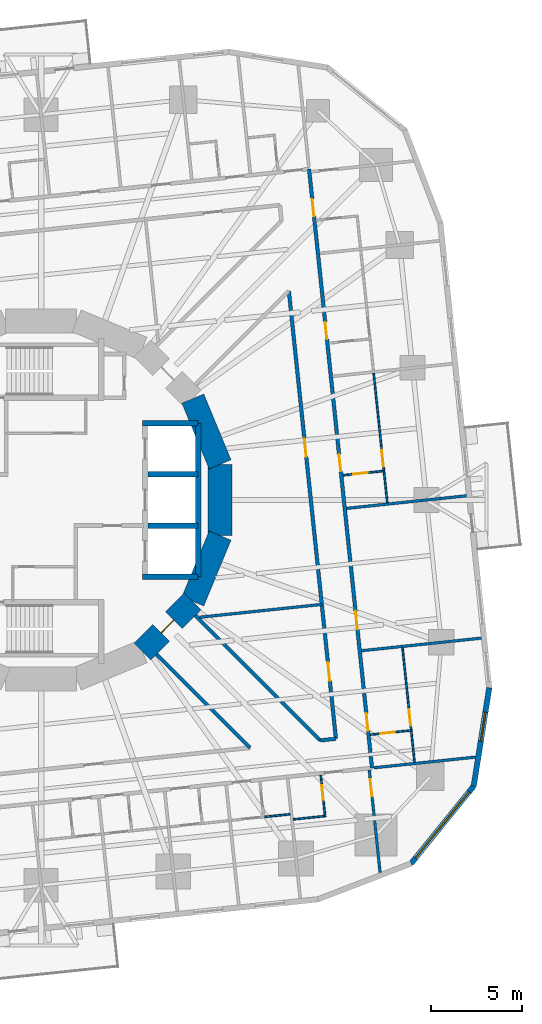
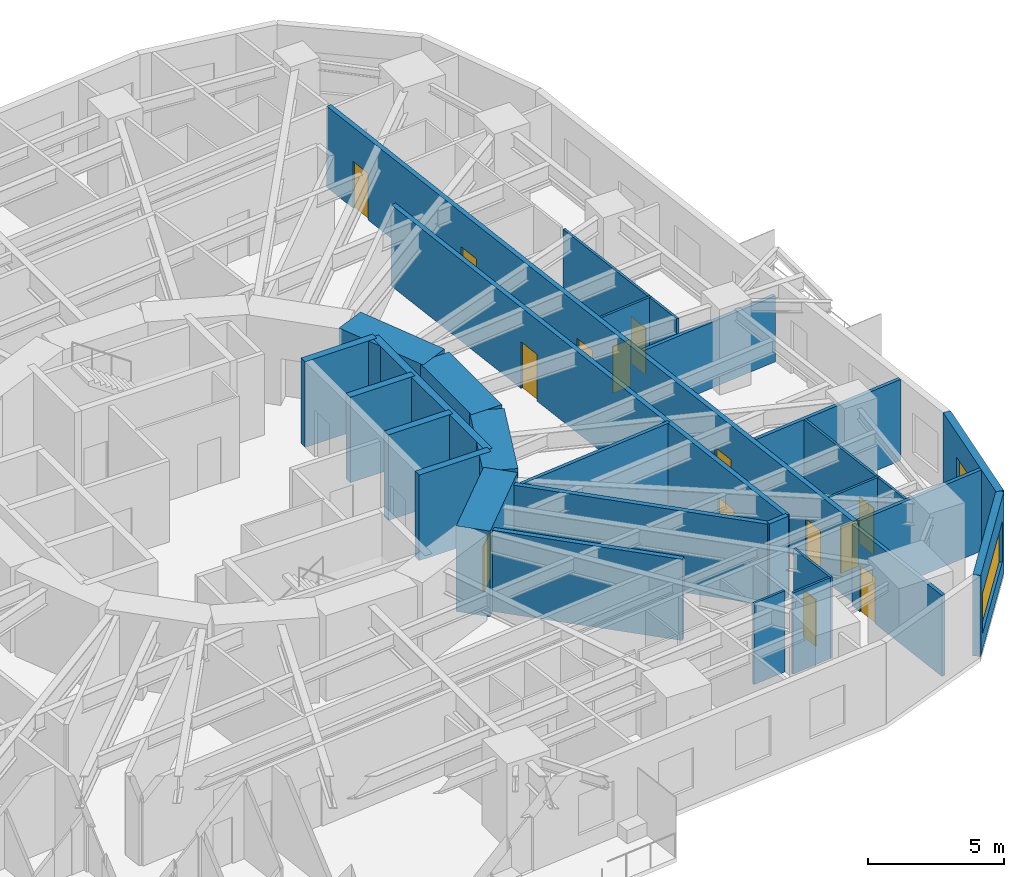
# One storey, part 8 of 13: 30 walls, 14 doors, 2 windows, 16 openings.
"""IFC4 building model written with IfcOpenShell, lengths in metres."""

from ifc_helpers import new_model, si_unit, direction, frame, frame_2d, origin, place, context, subcontext, project, spatial, rectangle, extrude, material, layer, layer_set, type_object, element, fill, save


model = new_model("IFC4")

# Units and contexts
model_context = context("Model", 3, precision=1e-05, world=origin(), true_north=direction((0.0, 1.0)))
body_context = subcontext(model_context, "Body", "Model", "MODEL_VIEW")
ifc_project = project(units=[si_unit("LENGTHUNIT", "METRE"), si_unit("AREAUNIT", "SQUARE_METRE"), si_unit("VOLUMEUNIT", "CUBIC_METRE"), si_unit("PLANEANGLEUNIT", "RADIAN"), si_unit("MASSUNIT", "GRAM", prefix="KILO")], contexts=[model_context])

# Site, building, storey
site_placement = place(None, origin())
site = spatial("IfcSite", under=ifc_project, at=site_placement, CompositionType="ELEMENT")
building_placement = place(site_placement, origin())
building = spatial("IfcBuilding", under=site, at=building_placement, Name="Nakasero Lantern House", CompositionType="ELEMENT")
storey_placement = place(building_placement, frame((0.0, 0.0, 79.75)))
storey = spatial("IfcBuildingStorey", under=building, at=storey_placement, Name="L19", CompositionType="ELEMENT", Elevation=79.75)

# Walls
ifc_material_1 = material(Name="Concrete C50/60", Category="concrete")
ifc_layer_1 = layer(ifc_material_1, 0.300048828125)
ifc_layer_set_1 = layer_set([ifc_layer_1], Name="Core inner wall 300")
wall_type_1 = type_object("IfcWallType", Name="Core inner wall 300", PredefinedType="SHEAR", material=ifc_layer_set_1)
for number, where, z_axis, x_axis, name in (
    (1, (5.550048828125, 4.199951171875, 0.0), (0.0, 0.0, 1.0), (1.0, 0.0, 0.0), "Core inner wall L19 LEN"),
    (2, (5.550048828125, -4.199951171875, 0.0), (0.0, 0.0, 1.0), (1.0, 0.0, 0.0), "Core inner wall L19 LES"),
):
    element("IfcWall", number, at=place(storey_placement, frame(where, z_axis=z_axis, x_axis=x_axis)), inside=storey, type_object=wall_type_1, Name=name, PredefinedType="SHEAR", context=body_context, shape_type="SweptSolid", body=[
        extrude(rectangle(XDim=3.050048828125, YDim=0.300048828125, at=frame_2d((1.52490234375, 0.0))), origin(), (0.0, 0.0, 1.0), 3.85009765625),
    ])
wall_1_placement = place(storey_placement, frame((8.60009765625, -4.199951171875, 0.0), z_axis=(0.0, 0.0, 1.0), x_axis=(0.0, 1.0, 0.0)))
element("IfcWall", 3, at=wall_1_placement, inside=storey, type_object=wall_type_1, Name="Core inner wall L19 LEB", PredefinedType="SHEAR", context=body_context, shape_type="SweptSolid", body=[
    extrude(rectangle(XDim=8.39990234375, YDim=0.300048828125, at=frame_2d((4.199951171875, 0.0))), origin(), (0.0, 0.0, 1.0), 3.85009765625),
])
for number, where, z_axis, x_axis, name in (
    (4, (5.85009765625, -1.39990234375, 0.0), (0.0, 0.0, 1.0), (1.0, 0.0, 0.0), "Core inner wall L19 LE1"),
    (5, (5.85009765625, 1.39990234375, 0.0), (0.0, 0.0, 1.0), (1.0, 0.0, 0.0), "Core inner wall L19 LE2"),
):
    element("IfcWall", number, at=place(storey_placement, frame(where, z_axis=z_axis, x_axis=x_axis)), inside=storey, type_object=wall_type_1, Name=name, PredefinedType="SHEAR", context=body_context, shape_type="SweptSolid", body=[
        extrude(rectangle(XDim=2.75, YDim=0.300048828125, at=frame_2d((1.375, 0.0))), origin(), (0.0, 0.0, 1.0), 3.85009765625),
    ])
ifc_material_2 = material(Name="Concrete C50/60", Category="concrete")
ifc_layer_2 = layer(ifc_material_2, 1.300048828125)
ifc_layer_set_2 = layer_set([ifc_layer_2], Name="Core wall 1300")
wall_type_2 = type_object("IfcWallType", Name="Core wall 1300", PredefinedType="SHEAR", material=ifc_layer_set_2)
wall_2_placement = place(storey_placement, frame((9.807861328125, 1.950927734375, 0.0), z_axis=(0.0, 0.0, 1.0), x_axis=(-0.382690736062, 0.923876507187, 0.0)))
element("IfcWall", 6, at=wall_2_placement, inside=storey, type_object=wall_type_2, Name="Core wall L19 facet 1", PredefinedType="SHEAR", context=body_context, shape_type="SweptSolid", body=[
    extrude(rectangle(XDim=3.90185546875, YDim=1.300048828125, at=frame_2d((1.950927734375, 0.0))), origin(), (0.0, 0.0, 1.0), 3.85009765625),
])

# Wall, opening, door
wall_3_placement = place(storey_placement, frame((5.5556640625, -8.314697265625, 0.0), z_axis=(0.0, 0.0, 1.0), x_axis=(0.707106781187, 0.707106781187, 0.0)))
wall_3 = element("IfcWall", 7, at=wall_3_placement, inside=storey, type_object=wall_type_2, Name="Core wall L19 facet 14", PredefinedType="SHEAR", context=body_context, shape_type="SweptSolid", body=[
    extrude(rectangle(XDim=3.90185546875, YDim=1.300048828125, at=frame_2d((1.950927734375, 0.0))), origin(), (0.0, 0.0, 1.0), 3.85009765625),
])
opening_1_placement = place(wall_3_placement, frame((1.450927734375, 0.0, 0.0)))
opening_1 = element("IfcOpeningElement", 8, at=opening_1_placement, cuts=wall_3, Name="Opening D05", PredefinedType="OPENING", context=body_context, shape_type="SweptSolid", body=[
    extrude(rectangle(XDim=1.0, YDim=2.10009765625, at=frame_2d((0.5, 1.050048828125))), frame((0.0, 0.669921875, 0.0), z_axis=(0.0, -1.0, 0.0), x_axis=(1.0, 0.0, 0.0)), (0.0, 0.0, 1.0), 1.340087890625),
])
ifc_material_3 = material(Name="Timber C24", Category="wood")
door_type_1 = type_object("IfcDoorType", Name="Core door FD60S 1000", OperationType="SINGLE_SWING_LEFT", PredefinedType="DOOR", material=ifc_material_3)
door_1_placement = place(opening_1_placement, origin())
door_1 = element("IfcDoor", 9, at=door_1_placement, inside=storey, type_object=door_type_1, Name="Door L19 D-CORE14", OperationType="SINGLE_SWING_LEFT", OverallHeight=2.10009765625, OverallWidth=1.0, PredefinedType="DOOR", context=body_context, shape_type="SweptSolid", body=[
    extrude(rectangle(XDim=1.0, YDim=2.10009765625, at=frame_2d((0.5, 1.050048828125))), frame((0.0, 0.02490234375, 0.0), z_axis=(0.0, -1.0, 0.0), x_axis=(1.0, 0.0, 0.0)), (0.0, 0.0, 1.0), 0.050048828125),
])
fill(opening_1, door_1)

# Walls
for number, where, z_axis, x_axis, name in (
    (10, (8.314697265625, -5.5556640625, 0.0), (0.0, 0.0, 1.0), (0.382690736062, 0.923876507187, 0.0), "Core wall L19 facet 15"),
    (11, (9.807861328125, -1.950927734375, 0.0), (0.0, 0.0, 1.0), (0.0, 1.0, 0.0), "Core wall L19 facet 16"),
):
    element("IfcWall", number, at=place(storey_placement, frame(where, z_axis=z_axis, x_axis=x_axis)), inside=storey, type_object=wall_type_2, Name=name, PredefinedType="SHEAR", context=body_context, shape_type="SweptSolid", body=[
        extrude(rectangle(XDim=3.90185546875, YDim=1.300048828125, at=frame_2d((1.950927734375, 0.0))), origin(), (0.0, 0.0, 1.0), 3.85009765625),
    ])

# Wall, openings, doors
ifc_material_4 = material(Name="Blockwork", Category="masonry")
ifc_layer_3 = layer(ifc_material_4, 0.199951171875)
ifc_layer_set_3 = layer_set([ifc_layer_3], Name="Corridor wall 200")
wall_type_3 = type_object("IfcWallType", Name="Corridor wall 200", PredefinedType="PARTITIONING", material=ifc_layer_set_3)
wall_4_placement = place(storey_placement, frame((18.13427734375, -14.684814453125, 0.0), z_axis=(0.0, 0.0, 1.0), x_axis=(-0.10452958258, 0.994521777723, 0.0)))
wall_4 = element("IfcWall", 12, at=wall_4_placement, inside=storey, type_object=wall_type_3, Name="Corridor wall L19 CW0", PredefinedType="PARTITIONING", context=body_context, shape_type="SweptSolid", body=[
    extrude(rectangle(XDim=32.999755859375, YDim=0.199951171875, at=frame_2d((16.5, 0.0))), origin(), (0.0, 0.0, 1.0), 3.64990234375),
])
opening_2_placement = place(wall_4_placement, frame((2.050048828125, 0.0, 0.0)))
opening_2 = element("IfcOpeningElement", 13, at=opening_2_placement, cuts=wall_4, Name="Opening D01", PredefinedType="OPENING", context=body_context, shape_type="SweptSolid", body=[
    extrude(rectangle(XDim=0.949951171875, YDim=2.10009765625, at=frame_2d((0.47509765625, 1.050048828125))), frame((0.0, 0.119873046875, 0.0), z_axis=(0.0, -1.0, 0.0), x_axis=(1.0, 0.0, 0.0)), (0.0, 0.0, 1.0), 0.239990234375),
])
opening_3_placement = place(wall_4_placement, frame((16.3427734375, 0.0, 0.0)))
opening_3 = element("IfcOpeningElement", 14, at=opening_3_placement, cuts=wall_4, Name="Opening D01", PredefinedType="OPENING", context=body_context, shape_type="SweptSolid", body=[
    extrude(rectangle(XDim=0.949951171875, YDim=2.10009765625, at=frame_2d((0.47509765625, 1.050048828125))), frame((0.0, 0.119873046875, 0.0), z_axis=(0.0, -1.0, 0.0), x_axis=(1.0, 0.0, 0.0)), (0.0, 0.0, 1.0), 0.239990234375),
])
opening_4_placement = place(wall_4_placement, frame((23.6201171875, 0.0, 0.0)))
opening_4 = element("IfcOpeningElement", 15, at=opening_4_placement, cuts=wall_4, Name="Opening D01", PredefinedType="OPENING", context=body_context, shape_type="SweptSolid", body=[
    extrude(rectangle(XDim=0.949951171875, YDim=2.10009765625, at=frame_2d((0.47509765625, 1.050048828125))), frame((0.0, 0.119873046875, 0.0), z_axis=(0.0, -1.0, 0.0), x_axis=(1.0, 0.0, 0.0)), (0.0, 0.0, 1.0), 0.239990234375),
])
opening_5_placement = place(wall_4_placement, frame((30.39111328125, 0.0, 0.0)))
opening_5 = element("IfcOpeningElement", 16, at=opening_5_placement, cuts=wall_4, Name="Opening D01", PredefinedType="OPENING", context=body_context, shape_type="SweptSolid", body=[
    extrude(rectangle(XDim=0.949951171875, YDim=2.10009765625, at=frame_2d((0.47509765625, 1.050048828125))), frame((0.0, 0.119873046875, 0.0), z_axis=(0.0, -1.0, 0.0), x_axis=(1.0, 0.0, 0.0)), (0.0, 0.0, 1.0), 0.239990234375),
])
opening_6_placement = place(wall_4_placement, frame((7.650634765625, 0.0, 0.0)))
opening_6 = element("IfcOpeningElement", 17, at=opening_6_placement, cuts=wall_4, Name="Opening D03", PredefinedType="OPENING", context=body_context, shape_type="SweptSolid", body=[
    extrude(rectangle(XDim=1.0, YDim=2.10009765625, at=frame_2d((0.5, 1.050048828125))), frame((0.0, 0.119873046875, 0.0), z_axis=(0.0, -1.0, 0.0), x_axis=(1.0, 0.0, 0.0)), (0.0, 0.0, 1.0), 0.239990234375),
])
ifc_material_5 = material(Name="Timber C24", Category="wood")
door_type_2 = type_object("IfcDoorType", Name="Bedroom door FD30S 950", OperationType="SINGLE_SWING_LEFT", PredefinedType="DOOR", material=ifc_material_5)
door_2_placement = place(opening_2_placement, origin())
door_2 = element("IfcDoor", 18, at=door_2_placement, inside=storey, type_object=door_type_2, Name="Door L19 D0-00", OperationType="SINGLE_SWING_LEFT", OverallHeight=2.10009765625, OverallWidth=0.949951171875, PredefinedType="DOOR", context=body_context, shape_type="SweptSolid", body=[
    extrude(rectangle(XDim=0.949951171875, YDim=2.10009765625, at=frame_2d((0.47509765625, 1.050048828125))), frame((0.0, 0.02490234375, 0.0), z_axis=(0.0, -1.0, 0.0), x_axis=(1.0, 0.0, 0.0)), (0.0, 0.0, 1.0), 0.050048828125),
])
fill(opening_2, door_2)
door_3_placement = place(opening_3_placement, origin())
door_3 = element("IfcDoor", 19, at=door_3_placement, inside=storey, type_object=door_type_2, Name="Door L19 D0-04", OperationType="SINGLE_SWING_RIGHT", OverallHeight=2.10009765625, OverallWidth=0.949951171875, PredefinedType="DOOR", context=body_context, shape_type="SweptSolid", body=[
    extrude(rectangle(XDim=0.949951171875, YDim=2.10009765625, at=frame_2d((0.47509765625, 1.050048828125))), frame((0.0, 0.02490234375, 0.0), z_axis=(0.0, -1.0, 0.0), x_axis=(1.0, 0.0, 0.0)), (0.0, 0.0, 1.0), 0.050048828125),
])
fill(opening_3, door_3)
door_4_placement = place(opening_4_placement, origin())
door_4 = element("IfcDoor", 20, at=door_4_placement, inside=storey, type_object=door_type_2, Name="Door L19 D0-06", OperationType="SINGLE_SWING_RIGHT", OverallHeight=2.10009765625, OverallWidth=0.949951171875, PredefinedType="DOOR", context=body_context, shape_type="SweptSolid", body=[
    extrude(rectangle(XDim=0.949951171875, YDim=2.10009765625, at=frame_2d((0.47509765625, 1.050048828125))), frame((0.0, 0.02490234375, 0.0), z_axis=(0.0, -1.0, 0.0), x_axis=(1.0, 0.0, 0.0)), (0.0, 0.0, 1.0), 0.050048828125),
])
fill(opening_4, door_4)
door_5_placement = place(opening_5_placement, origin())
door_5 = element("IfcDoor", 21, at=door_5_placement, inside=storey, type_object=door_type_2, Name="Door L19 D0-08", OperationType="SINGLE_SWING_RIGHT", OverallHeight=2.10009765625, OverallWidth=0.949951171875, PredefinedType="DOOR", context=body_context, shape_type="SweptSolid", body=[
    extrude(rectangle(XDim=0.949951171875, YDim=2.10009765625, at=frame_2d((0.47509765625, 1.050048828125))), frame((0.0, 0.02490234375, 0.0), z_axis=(0.0, -1.0, 0.0), x_axis=(1.0, 0.0, 0.0)), (0.0, 0.0, 1.0), 0.050048828125),
])
fill(opening_5, door_5)
ifc_material_6 = material(Name="Timber C24", Category="wood")
door_type_3 = type_object("IfcDoorType", Name="Lounge door FD30S 1000", OperationType="SINGLE_SWING_LEFT", PredefinedType="DOOR", material=ifc_material_6)
door_6_placement = place(opening_6_placement, origin())
door_6 = element("IfcDoor", 22, at=door_6_placement, inside=storey, type_object=door_type_3, Name="Door L19 DK0", OperationType="SINGLE_SWING_LEFT", OverallHeight=2.10009765625, OverallWidth=1.0, PredefinedType="DOOR", context=body_context, shape_type="SweptSolid", body=[
    extrude(rectangle(XDim=1.0, YDim=2.10009765625, at=frame_2d((0.5, 1.050048828125))), frame((0.0, 0.02490234375, 0.0), z_axis=(0.0, -1.0, 0.0), x_axis=(1.0, 0.0, 0.0)), (0.0, 0.0, 1.0), 0.050048828125),
])
fill(opening_6, door_6)

wall_5_placement = place(storey_placement, frame((16.156005859375, -13.0830078125, 0.0), z_axis=(0.0, 0.0, 1.0), x_axis=(-0.104528202096, 0.994521922819, 0.0)))
wall_5 = element("IfcWall", 23, at=wall_5_placement, inside=storey, type_object=wall_type_3, Name="Corridor wall L19 IW0-0", PredefinedType="PARTITIONING", context=body_context, shape_type="SweptSolid", body=[
    extrude(rectangle(XDim=24.673828125, YDim=0.199951171875, at=frame_2d((12.3369140625, 0.0))), origin(), (0.0, 0.0, 1.0), 3.64990234375),
])
opening_7_placement = place(wall_5_placement, frame((3.201171875, 0.0, 0.0)))
opening_7 = element("IfcOpeningElement", 24, at=opening_7_placement, cuts=wall_5, Name="Opening D07", PredefinedType="OPENING", context=body_context, shape_type="SweptSolid", body=[
    extrude(rectangle(XDim=1.0, YDim=2.10009765625, at=frame_2d((0.5, 1.050048828125))), frame((0.0, 0.119873046875, 0.0), z_axis=(0.0, -1.0, 0.0), x_axis=(1.0, 0.0, 0.0)), (0.0, 0.0, 1.0), 0.239990234375),
])
opening_8_placement = place(wall_5_placement, frame((15.537841796875, 0.0, 0.0)))
opening_8 = element("IfcOpeningElement", 25, at=opening_8_placement, cuts=wall_5, Name="Opening D07", PredefinedType="OPENING", context=body_context, shape_type="SweptSolid", body=[
    extrude(rectangle(XDim=1.0, YDim=2.10009765625, at=frame_2d((0.5, 1.050048828125))), frame((0.0, 0.119873046875, 0.0), z_axis=(0.0, -1.0, 0.0), x_axis=(1.0, 0.0, 0.0)), (0.0, 0.0, 1.0), 0.239990234375),
])
ifc_material_7 = material(Name="Timber C24", Category="wood")
door_type_4 = type_object("IfcDoorType", Name="Room door FD30S 1000", OperationType="SINGLE_SWING_LEFT", PredefinedType="DOOR", material=ifc_material_7)
door_7_placement = place(opening_7_placement, origin())
door_7 = element("IfcDoor", 26, at=door_7_placement, inside=storey, type_object=door_type_4, Name="Door L19 DI1", OperationType="SINGLE_SWING_LEFT", OverallHeight=2.10009765625, OverallWidth=1.0, PredefinedType="DOOR", context=body_context, shape_type="SweptSolid", body=[
    extrude(rectangle(XDim=1.0, YDim=2.10009765625, at=frame_2d((0.5, 1.050048828125))), frame((0.0, 0.02490234375, 0.0), z_axis=(0.0, -1.0, 0.0), x_axis=(1.0, 0.0, 0.0)), (0.0, 0.0, 1.0), 0.050048828125),
])
fill(opening_7, door_7)
door_8_placement = place(opening_8_placement, origin())
door_8 = element("IfcDoor", 27, at=door_8_placement, inside=storey, type_object=door_type_4, Name="Door L19 DI1S", OperationType="SINGLE_SWING_RIGHT", OverallHeight=2.10009765625, OverallWidth=1.0, PredefinedType="DOOR", context=body_context, shape_type="SweptSolid", body=[
    extrude(rectangle(XDim=1.0, YDim=2.10009765625, at=frame_2d((0.5, 1.050048828125))), frame((0.0, 0.02490234375, 0.0), z_axis=(0.0, -1.0, 0.0), x_axis=(1.0, 0.0, 0.0)), (0.0, 0.0, 1.0), 0.050048828125),
])
fill(opening_8, door_8)

# Walls
wall_6_placement = place(storey_placement, frame((8.45556640625, -6.334228515625, 0.0), z_axis=(0.0, 0.0, 1.0), x_axis=(0.707106781187, -0.707106781187, 0.0)))
element("IfcWall", 28, at=wall_6_placement, inside=storey, type_object=wall_type_3, Name="Corridor wall L19 PS14a", PredefinedType="PARTITIONING", context=body_context, shape_type="SweptSolid", body=[
    extrude(rectangle(XDim=9.671875, YDim=0.199951171875, at=frame_2d((4.8359375, 0.0))), origin(), (0.0, 0.0, 1.0), 3.64990234375),
])
wall_7_placement = place(storey_placement, frame((6.334228515625, -8.45556640625, 0.0), z_axis=(0.0, 0.0, 1.0), x_axis=(0.707106781187, -0.707106781187, 0.0)))
element("IfcWall", 29, at=wall_7_placement, inside=storey, type_object=wall_type_3, Name="Corridor wall L19 PS14b", PredefinedType="PARTITIONING", context=body_context, shape_type="SweptSolid", body=[
    extrude(rectangle(XDim=7.24267578125, YDim=0.199951171875, at=frame_2d((3.621337890625, 0.0))), origin(), (0.0, 0.0, 1.0), 3.64990234375),
])
wall_8_placement = place(storey_placement, frame((16.156005859375, -13.0830078125, 0.0), z_axis=(0.0, 0.0, 1.0), x_axis=(-0.994545540927, -0.104303245505, 0.0)))
element("IfcWall", 30, at=wall_8_placement, inside=storey, type_object=wall_type_3, Name="Corridor wall L19 IW0-0R0", PredefinedType="PARTITIONING", context=body_context, shape_type="SweptSolid", body=[
    extrude(rectangle(XDim=0.865966796875, YDim=0.199951171875, at=frame_2d((0.43310546875, 0.0))), origin(), (0.0, 0.0, 1.0), 3.64990234375),
])

# Wall, opening, door
ifc_material_8 = material(Name="Blockwork", Category="masonry")
ifc_layer_4 = layer(ifc_material_8, 0.10009765625)
ifc_layer_set_4 = layer_set([ifc_layer_4], Name="En-suite wall 100")
wall_type_4 = type_object("IfcWallType", Name="En-suite wall 100", PredefinedType="PARTITIONING", material=ifc_layer_set_4)
wall_9_placement = place(storey_placement, frame((18.04296875, -12.859375, 0.0), z_axis=(0.0, 0.0, 1.0), x_axis=(0.994529855142, 0.104452703326, 0.0)))
wall_9 = element("IfcWall", 31, at=wall_9_placement, inside=storey, type_object=wall_type_4, Name="En-suite wall L19 ES0-00", PredefinedType="PARTITIONING", context=body_context, shape_type="SweptSolid", body=[
    extrude(rectangle(XDim=2.300048828125, YDim=0.10009765625, at=frame_2d((1.14990234375, 0.0))), origin(), (0.0, 0.0, 1.0), 3.64990234375),
])
opening_9_placement = place(wall_9_placement, frame((0.550048828125, 0.0, 0.0)))
opening_9 = element("IfcOpeningElement", 32, at=opening_9_placement, cuts=wall_9, Name="Opening D02", PredefinedType="OPENING", context=body_context, shape_type="SweptSolid", body=[
    extrude(rectangle(XDim=0.800048828125, YDim=2.10009765625, at=frame_2d((0.39990234375, 1.050048828125))), frame((0.0, 0.070068359375, 0.0), z_axis=(0.0, -1.0, 0.0), x_axis=(1.0, 0.0, 0.0)), (0.0, 0.0, 1.0), 0.14013671875),
])
ifc_material_9 = material(Name="Timber C24", Category="wood")
door_type_5 = type_object("IfcDoorType", Name="En-suite door 800", OperationType="SINGLE_SWING_RIGHT", PredefinedType="DOOR", material=ifc_material_9)
door_9_placement = place(opening_9_placement, origin())
door_9 = element("IfcDoor", 33, at=door_9_placement, inside=storey, type_object=door_type_5, Name="Door L19 DE0-00", OperationType="SINGLE_SWING_LEFT", OverallHeight=2.10009765625, OverallWidth=0.800048828125, PredefinedType="DOOR", context=body_context, shape_type="SweptSolid", body=[
    extrude(rectangle(XDim=0.800048828125, YDim=2.10009765625, at=frame_2d((0.39990234375, 1.050048828125))), frame((0.0, 0.02490234375, 0.0), z_axis=(0.0, -1.0, 0.0), x_axis=(1.0, 0.0, 0.0)), (0.0, 0.0, 1.0), 0.050048828125),
])
fill(opening_9, door_9)

# Wall
wall_10_placement = place(storey_placement, frame((20.463623046875, -14.36474609375, 0.0), z_axis=(0.0, 0.0, 1.0), x_axis=(-0.104550220202, 0.994519608382, 0.0)))
element("IfcWall", 34, at=wall_10_placement, inside=storey, type_object=wall_type_4, Name="En-suite wall L19 EE0-00", PredefinedType="PARTITIONING", context=body_context, shape_type="SweptSolid", body=[
    extrude(rectangle(XDim=1.699951171875, YDim=0.10009765625, at=frame_2d((0.85009765625, 0.0))), origin(), (0.0, 0.0, 1.0), 3.64990234375),
])

# Wall, opening, door
wall_11_placement = place(storey_placement, frame((16.549072265625, 1.35498046875, 0.0), z_axis=(0.0, 0.0, 1.0), x_axis=(0.994518822602, 0.104557694553, 0.0)))
wall_11 = element("IfcWall", 35, at=wall_11_placement, inside=storey, type_object=wall_type_4, Name="En-suite wall L19 ES0-04", PredefinedType="PARTITIONING", context=body_context, shape_type="SweptSolid", body=[
    extrude(rectangle(XDim=2.300048828125, YDim=0.10009765625, at=frame_2d((1.14990234375, 0.0))), origin(), (0.0, 0.0, 1.0), 3.64990234375),
])
opening_10_placement = place(wall_11_placement, frame((0.550048828125, 0.0, 0.0)))
opening_10 = element("IfcOpeningElement", 36, at=opening_10_placement, cuts=wall_11, Name="Opening D02", PredefinedType="OPENING", context=body_context, shape_type="SweptSolid", body=[
    extrude(rectangle(XDim=0.800048828125, YDim=2.10009765625, at=frame_2d((0.39990234375, 1.050048828125))), frame((0.0, 0.070068359375, 0.0), z_axis=(0.0, -1.0, 0.0), x_axis=(1.0, 0.0, 0.0)), (0.0, 0.0, 1.0), 0.14013671875),
])
door_10_placement = place(opening_10_placement, origin())
door_10 = element("IfcDoor", 37, at=door_10_placement, inside=storey, type_object=door_type_5, Name="Door L19 DE0-04", OperationType="SINGLE_SWING_LEFT", OverallHeight=2.10009765625, OverallWidth=0.800048828125, PredefinedType="DOOR", context=body_context, shape_type="SweptSolid", body=[
    extrude(rectangle(XDim=0.800048828125, YDim=2.10009765625, at=frame_2d((0.39990234375, 1.050048828125))), frame((0.0, 0.02490234375, 0.0), z_axis=(0.0, -1.0, 0.0), x_axis=(1.0, 0.0, 0.0)), (0.0, 0.0, 1.0), 0.050048828125),
])
fill(opening_10, door_10)

# Walls
wall_12_placement = place(storey_placement, frame((18.9697265625, -0.150146484375, 0.0), z_axis=(0.0, 0.0, 1.0), x_axis=(-0.104550220202, 0.994519608382, 0.0)))
element("IfcWall", 38, at=wall_12_placement, inside=storey, type_object=wall_type_4, Name="En-suite wall L19 EE0-04", PredefinedType="PARTITIONING", context=body_context, shape_type="SweptSolid", body=[
    extrude(rectangle(XDim=1.699951171875, YDim=0.10009765625, at=frame_2d((0.85009765625, 0.0))), origin(), (0.0, 0.0, 1.0), 3.64990234375),
])
wall_13_placement = place(storey_placement, frame((12.248291015625, -17.36474609375, 0.0), z_axis=(0.0, 0.0, 1.0), x_axis=(0.994529315664, 0.104457839748, 0.0)))
element("IfcWall", 39, at=wall_13_placement, inside=storey, type_object=wall_type_4, Name="En-suite wall L19 EE3-07", PredefinedType="PARTITIONING", context=body_context, shape_type="SweptSolid", body=[
    extrude(rectangle(XDim=1.39990234375, YDim=0.10009765625, at=frame_2d((0.699951171875, 0.0))), origin(), (0.0, 0.0, 1.0), 3.64990234375),
])

# Wall, opening, door
wall_14_placement = place(storey_placement, frame((15.326416015625, -15.08056640625, 0.0), z_axis=(0.0, 0.0, 1.0), x_axis=(0.104557694553, -0.994518822602, 0.0)))
wall_14 = element("IfcWall", 40, at=wall_14_placement, inside=storey, type_object=wall_type_4, Name="En-suite wall L19 ES3-08", PredefinedType="PARTITIONING", context=body_context, shape_type="SweptSolid", body=[
    extrude(rectangle(XDim=2.300048828125, YDim=0.10009765625, at=frame_2d((1.14990234375, 0.0))), origin(), (0.0, 0.0, 1.0), 3.64990234375),
])
opening_11_placement = place(wall_14_placement, frame((0.550048828125, 0.0, 0.0)))
opening_11 = element("IfcOpeningElement", 41, at=opening_11_placement, cuts=wall_14, Name="Opening D02", PredefinedType="OPENING", context=body_context, shape_type="SweptSolid", body=[
    extrude(rectangle(XDim=0.800048828125, YDim=2.10009765625, at=frame_2d((0.39990234375, 1.050048828125))), frame((0.0, 0.070068359375, 0.0), z_axis=(0.0, -1.0, 0.0), x_axis=(1.0, 0.0, 0.0)), (0.0, 0.0, 1.0), 0.14013671875),
])
door_11_placement = place(opening_11_placement, origin())
door_11 = element("IfcDoor", 42, at=door_11_placement, inside=storey, type_object=door_type_5, Name="Door L19 DE3-08", OperationType="SINGLE_SWING_LEFT", OverallHeight=2.10009765625, OverallWidth=0.800048828125, PredefinedType="DOOR", context=body_context, shape_type="SweptSolid", body=[
    extrude(rectangle(XDim=0.800048828125, YDim=2.10009765625, at=frame_2d((0.39990234375, 1.050048828125))), frame((0.0, 0.02490234375, 0.0), z_axis=(0.0, -1.0, 0.0), x_axis=(1.0, 0.0, 0.0)), (0.0, 0.0, 1.0), 0.050048828125),
])
fill(opening_11, door_11)

# Wall
wall_15_placement = place(storey_placement, frame((13.8212890625, -17.501220703125, 0.0), z_axis=(0.0, 0.0, 1.0), x_axis=(0.994519608382, 0.104550220202, 0.0)))
element("IfcWall", 43, at=wall_15_placement, inside=storey, type_object=wall_type_4, Name="En-suite wall L19 EE3-08", PredefinedType="PARTITIONING", context=body_context, shape_type="SweptSolid", body=[
    extrude(rectangle(XDim=1.699951171875, YDim=0.10009765625, at=frame_2d((0.85009765625, 0.0))), origin(), (0.0, 0.0, 1.0), 3.64990234375),
])

# Wall, opening, door
wall_16_placement = place(storey_placement, frame((20.275390625, -12.574462890625, 0.0), z_axis=(0.0, 0.0, 1.0), x_axis=(-0.104535119414, 0.994521195757, 0.0)))
wall_16 = element("IfcWall", 44, at=wall_16_placement, inside=storey, type_object=wall_type_4, Name="En-suite wall L19 EL0-00", PredefinedType="PARTITIONING", context=body_context, shape_type="SweptSolid", body=[
    extrude(rectangle(XDim=4.50048828125, YDim=0.10009765625, at=frame_2d((2.250244140625, 0.0))), origin(), (0.0, 0.0, 1.0), 3.64990234375),
])
opening_12_placement = place(wall_16_placement, frame((0.199951171875, 0.0, 0.0)))
opening_12 = element("IfcOpeningElement", 45, at=opening_12_placement, cuts=wall_16, Name="Opening D17", PredefinedType="OPENING", context=body_context, shape_type="SweptSolid", body=[
    extrude(rectangle(XDim=0.89990234375, YDim=2.10009765625, at=frame_2d((0.449951171875, 1.050048828125))), frame((0.0, 0.070068359375, 0.0), z_axis=(0.0, -1.0, 0.0), x_axis=(1.0, 0.0, 0.0)), (0.0, 0.0, 1.0), 0.14013671875),
])
ifc_material_10 = material(Name="Timber C24", Category="wood")
door_type_6 = type_object("IfcDoorType", Name="Bedroom door FD30S 900", OperationType="SINGLE_SWING_LEFT", PredefinedType="DOOR", material=ifc_material_10)
door_12_placement = place(opening_12_placement, origin())
door_12 = element("IfcDoor", 46, at=door_12_placement, inside=storey, type_object=door_type_6, Name="Door L19 DL0-00", OperationType="SINGLE_SWING_LEFT", OverallHeight=2.10009765625, OverallWidth=0.89990234375, PredefinedType="DOOR", context=body_context, shape_type="SweptSolid", body=[
    extrude(rectangle(XDim=0.89990234375, YDim=2.10009765625, at=frame_2d((0.449951171875, 1.050048828125))), frame((0.0, 0.02490234375, 0.0), z_axis=(0.0, -1.0, 0.0), x_axis=(1.0, 0.0, 0.0)), (0.0, 0.0, 1.0), 0.050048828125),
])
fill(opening_12, door_12)

wall_17_placement = place(storey_placement, frame((18.781494140625, 1.639892578125, 0.0), z_axis=(0.0, 0.0, 1.0), x_axis=(-0.10453449141, 0.994521261767, 0.0)))
wall_17 = element("IfcWall", 47, at=wall_17_placement, inside=storey, type_object=wall_type_4, Name="En-suite wall L19 EL0-04", PredefinedType="PARTITIONING", context=body_context, shape_type="SweptSolid", body=[
    extrude(rectangle(XDim=5.327392578125, YDim=0.10009765625, at=frame_2d((2.66357421875, 0.0))), origin(), (0.0, 0.0, 1.0), 3.64990234375),
])
opening_13_placement = place(wall_17_placement, frame((0.199951171875, 0.0, 0.0)))
opening_13 = element("IfcOpeningElement", 48, at=opening_13_placement, cuts=wall_17, Name="Opening D17", PredefinedType="OPENING", context=body_context, shape_type="SweptSolid", body=[
    extrude(rectangle(XDim=0.89990234375, YDim=2.10009765625, at=frame_2d((0.449951171875, 1.050048828125))), frame((0.0, 0.070068359375, 0.0), z_axis=(0.0, -1.0, 0.0), x_axis=(1.0, 0.0, 0.0)), (0.0, 0.0, 1.0), 0.14013671875),
])
door_13_placement = place(opening_13_placement, origin())
door_13 = element("IfcDoor", 49, at=door_13_placement, inside=storey, type_object=door_type_6, Name="Door L19 DL0-04", OperationType="SINGLE_SWING_LEFT", OverallHeight=2.10009765625, OverallWidth=0.89990234375, PredefinedType="DOOR", context=body_context, shape_type="SweptSolid", body=[
    extrude(rectangle(XDim=0.89990234375, YDim=2.10009765625, at=frame_2d((0.449951171875, 1.050048828125))), frame((0.0, 0.02490234375, 0.0), z_axis=(0.0, -1.0, 0.0), x_axis=(1.0, 0.0, 0.0)), (0.0, 0.0, 1.0), 0.050048828125),
])
fill(opening_13, door_13)

# Wall, opening, window
ifc_material_11 = material(Name="Aluminium rainscreen on blockwork", Category="masonry")
ifc_layer_5 = layer(ifc_material_11, 0.300048828125)
ifc_layer_set_5 = layer_set([ifc_layer_5], Name="Facade wall 300")
wall_type_5 = type_object("IfcWallType", Name="Facade wall 300", PredefinedType="SOLIDWALL", material=ifc_layer_set_5)
wall_18_placement = place(storey_placement, frame((20.26904296875, -19.927001953125, 0.0), z_axis=(0.0, 0.0, 1.0), x_axis=(0.629334543442, 0.777134500863, 0.0)))
wall_18 = element("IfcWall", 50, at=wall_18_placement, inside=storey, type_object=wall_type_5, Name="Facade wall L19 FW3C2", PredefinedType="SOLIDWALL", context=body_context, shape_type="SweptSolid", body=[
    extrude(rectangle(XDim=5.4609375, YDim=0.300048828125, at=frame_2d((2.73046875, 0.0))), origin(), (0.0, 0.0, 1.0), 3.64990234375),
])
opening_14_placement = place(wall_18_placement, frame((0.39990234375, 0.0, 0.75)))
opening_14 = element("IfcOpeningElement", 51, at=opening_14_placement, cuts=wall_18, Name="Opening W246", PredefinedType="OPENING", context=body_context, shape_type="SweptSolid", body=[
    extrude(rectangle(XDim=4.660888671875, YDim=1.800048828125, at=frame_2d((2.33056640625, 0.89990234375))), frame((0.0, 0.169921875, 0.0), z_axis=(0.0, -1.0, 0.0), x_axis=(1.0, 0.0, 0.0)), (0.0, 0.0, 1.0), 0.340087890625),
])
ifc_material_12 = material(Name="Aluminium 6063-T6 and glass", Category="aluminium")
window_type_1 = type_object("IfcWindowType", Name="Corner window 4661x1800", PartitioningType="SINGLE_PANEL", PredefinedType="WINDOW", material=ifc_material_12)
window_1_placement = place(opening_14_placement, origin())
window_1 = element("IfcWindow", 52, at=window_1_placement, inside=storey, type_object=window_type_1, Name="Window L19 WC3", OverallHeight=1.800048828125, OverallWidth=4.660888671875, PartitioningType="SINGLE_PANEL", PredefinedType="WINDOW", context=body_context, shape_type="SweptSolid", body=[
    extrude(rectangle(XDim=4.660888671875, YDim=1.800048828125, at=frame_2d((2.33056640625, 0.89990234375))), frame((0.0, 0.030029296875, 0.0), z_axis=(0.0, -1.0, 0.0), x_axis=(1.0, 0.0, 0.0)), (0.0, 0.0, 1.0), 0.06005859375),
])
fill(opening_14, window_1)

wall_19_placement = place(storey_placement, frame((23.705810546875, -15.68310546875, 0.0), z_axis=(0.0, 0.0, 1.0), x_axis=(0.156419383601, 0.987690729142, 0.0)))
wall_19 = element("IfcWall", 53, at=wall_19_placement, inside=storey, type_object=wall_type_5, Name="Facade wall L19 FW3C3", PredefinedType="SOLIDWALL", context=body_context, shape_type="SweptSolid", body=[
    extrude(rectangle(XDim=5.461181640625, YDim=0.300048828125, at=frame_2d((2.73046875, 0.0))), origin(), (0.0, 0.0, 1.0), 3.64990234375),
])
opening_15_placement = place(wall_19_placement, frame((2.5, 0.0, 0.75)))
opening_15 = element("IfcOpeningElement", 54, at=opening_15_placement, cuts=wall_19, Name="Opening W01", PredefinedType="OPENING", context=body_context, shape_type="SweptSolid", body=[
    extrude(rectangle(XDim=1.60009765625, YDim=1.800048828125, at=frame_2d((0.800048828125, 0.89990234375))), frame((0.0, 0.169921875, 0.0), z_axis=(0.0, -1.0, 0.0), x_axis=(1.0, 0.0, 0.0)), (0.0, 0.0, 1.0), 0.340087890625),
])
ifc_material_13 = material(Name="Aluminium 6063-T6 and glass", Category="aluminium")
window_type_2 = type_object("IfcWindowType", Name="Bedroom window 1600x1800", PartitioningType="SINGLE_PANEL", PredefinedType="WINDOW", material=ifc_material_13)
window_2_placement = place(opening_15_placement, origin())
window_2 = element("IfcWindow", 55, at=window_2_placement, inside=storey, type_object=window_type_2, Name="Window L19 WN0-00", OverallHeight=1.800048828125, OverallWidth=1.60009765625, PartitioningType="SINGLE_PANEL", PredefinedType="WINDOW", context=body_context, shape_type="SweptSolid", body=[
    extrude(rectangle(XDim=1.60009765625, YDim=1.800048828125, at=frame_2d((0.800048828125, 0.89990234375))), frame((0.0, 0.030029296875, 0.0), z_axis=(0.0, -1.0, 0.0), x_axis=(1.0, 0.0, 0.0)), (0.0, 0.0, 1.0), 0.06005859375),
])
fill(opening_15, window_2)

# Walls
ifc_material_14 = material(Name="Blockwork", Category="masonry")
ifc_layer_6 = layer(ifc_material_14, 0.14990234375)
ifc_layer_set_6 = layer_set([ifc_layer_6], Name="Party wall 150")
wall_type_6 = type_object("IfcWallType", Name="Party wall 150", PredefinedType="PARTITIONING", material=ifc_layer_set_6)
wall_20_placement = place(storey_placement, frame((18.23388671875, -14.674560546875, 0.0), z_axis=(0.0, 0.0, 1.0), x_axis=(0.994520498284, 0.104541754786, 0.0)))
element("IfcWall", 56, at=wall_20_placement, inside=storey, type_object=wall_type_6, Name="Party wall L19 PW0-00", PredefinedType="PARTITIONING", context=body_context, shape_type="SweptSolid", body=[
    extrude(rectangle(XDim=5.597900390625, YDim=0.14990234375, at=frame_2d((2.798828125, 0.0))), origin(), (0.0, 0.0, 1.0), 3.64990234375),
])
wall_21_placement = place(storey_placement, frame((17.5595703125, -8.25927734375, 0.0), z_axis=(0.0, 0.0, 1.0), x_axis=(0.994520846901, 0.104538438287, 0.0)))
element("IfcWall", 57, at=wall_21_placement, inside=storey, type_object=wall_type_6, Name="Party wall L19 PW0-02", PredefinedType="PARTITIONING", context=body_context, shape_type="SweptSolid", body=[
    extrude(rectangle(XDim=6.599853515625, YDim=0.14990234375, at=frame_2d((3.2998046875, 0.0))), origin(), (0.0, 0.0, 1.0), 3.64990234375),
])
wall_22_placement = place(storey_placement, frame((16.73974609375, -0.4599609375, 0.0), z_axis=(0.0, 0.0, 1.0), x_axis=(0.994521251134, 0.104534592565, 0.0)))
element("IfcWall", 58, at=wall_22_placement, inside=storey, type_object=wall_type_6, Name="Party wall L19 PW0-04", PredefinedType="PARTITIONING", context=body_context, shape_type="SweptSolid", body=[
    extrude(rectangle(XDim=6.60009765625, YDim=0.14990234375, at=frame_2d((3.300048828125, 0.0))), origin(), (0.0, 0.0, 1.0), 2.966552734375),
])

# Wall, opening, door
wall_23_placement = place(storey_placement, frame((17.9853515625, -14.801025390625, 0.0), z_axis=(0.0, 0.0, 1.0), x_axis=(0.104520320471, -0.994522751177, 0.0)))
wall_23 = element("IfcWall", 59, at=wall_23_placement, inside=storey, type_object=wall_type_6, Name="Party wall L19 PC3", PredefinedType="PARTITIONING", context=body_context, shape_type="SweptSolid", body=[
    extrude(rectangle(XDim=5.64111328125, YDim=0.14990234375, at=frame_2d((2.820556640625, 0.0))), origin(), (0.0, 0.0, 1.0), 3.64990234375),
])
opening_16_placement = place(wall_23_placement, frame((0.5, 0.0, 0.0)))
opening_16 = element("IfcOpeningElement", 60, at=opening_16_placement, cuts=wall_23, Name="Opening D01", PredefinedType="OPENING", context=body_context, shape_type="SweptSolid", body=[
    extrude(rectangle(XDim=0.949951171875, YDim=2.10009765625, at=frame_2d((0.47509765625, 1.050048828125))), frame((0.0, 0.094970703125, 0.0), z_axis=(0.0, -1.0, 0.0), x_axis=(1.0, 0.0, 0.0)), (0.0, 0.0, 1.0), 0.18994140625),
])
door_14_placement = place(opening_16_placement, origin())
door_14 = element("IfcDoor", 61, at=door_14_placement, inside=storey, type_object=door_type_2, Name="Door L19 DC3", OperationType="SINGLE_SWING_LEFT", OverallHeight=2.10009765625, OverallWidth=0.949951171875, PredefinedType="DOOR", context=body_context, shape_type="SweptSolid", body=[
    extrude(rectangle(XDim=0.949951171875, YDim=2.10009765625, at=frame_2d((0.47509765625, 1.050048828125))), frame((0.0, 0.02490234375, 0.0), z_axis=(0.0, -1.0, 0.0), x_axis=(1.0, 0.0, 0.0)), (0.0, 0.0, 1.0), 0.050048828125),
])
fill(opening_16, door_14)

# Wall
wall_24_placement = place(storey_placement, frame((8.687744140625, -6.425048828125, 0.0), z_axis=(0.0, 0.0, 1.0), x_axis=(0.994522133784, 0.104526194871, 0.0)))
element("IfcWall", 62, at=wall_24_placement, inside=storey, type_object=wall_type_6, Name="Party wall L19 IS1", PredefinedType="PARTITIONING", context=body_context, shape_type="SweptSolid", body=[
    extrude(rectangle(XDim=6.7314453125, YDim=0.14990234375, at=frame_2d((3.36572265625, 0.0))), origin(), (0.0, 0.0, 1.0), 3.64990234375),
])

save(model, "model.ifc")
